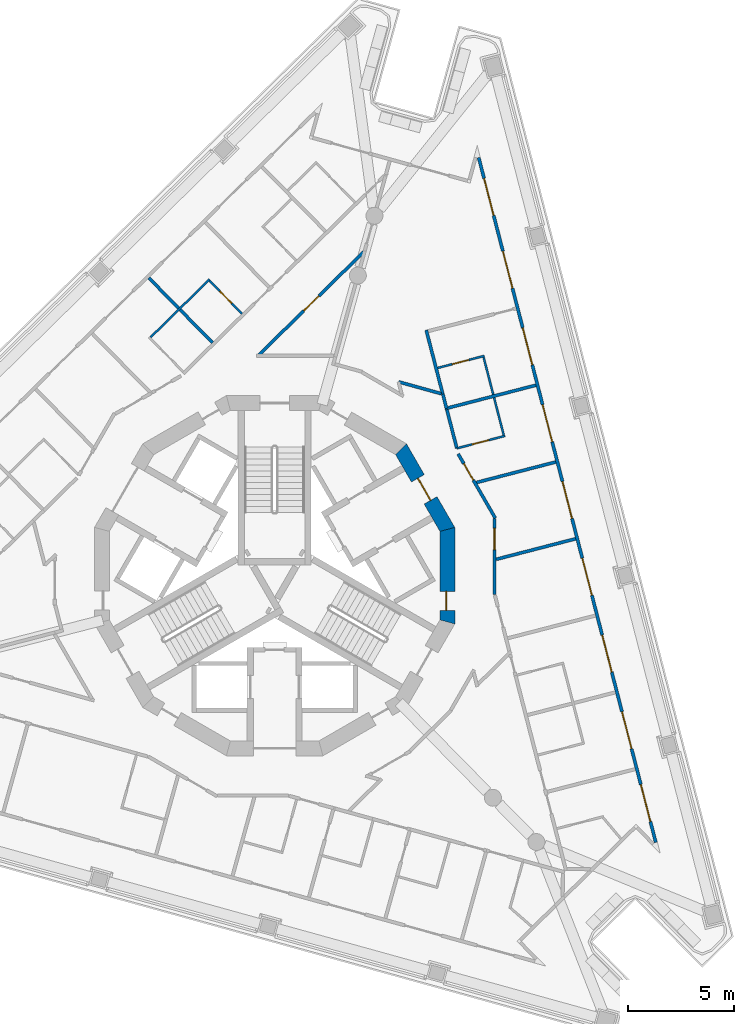
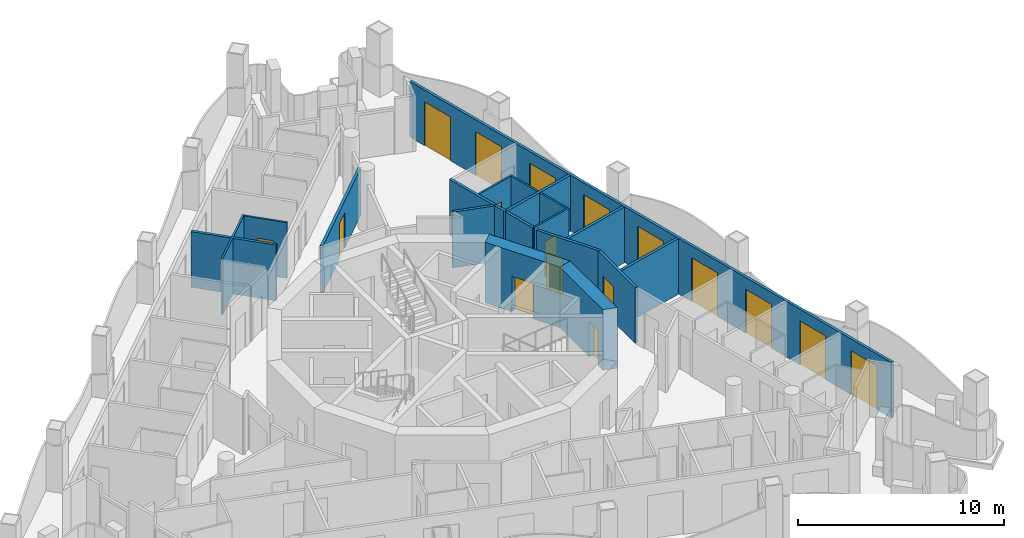
# One storey, part 7 of 14: 20 walls, 17 doors, 17 openings.
"""IFC4 building model written with IfcOpenShell, lengths in metres."""

from ifc_helpers import new_model, si_unit, direction, frame, frame_2d, origin, place, context, subcontext, project, spatial, polyline, rectangle, outline, extrude, material, layer, layer_set, type_object, element, fill, save


model = new_model("IFC4")

# Units and contexts
model_context = context("Model", 3, precision=1e-05, world=origin(), true_north=direction((0.0, 1.0)))
body_context = subcontext(model_context, "Body", "Model", "MODEL_VIEW")
ifc_project = project(units=[si_unit("LENGTHUNIT", "METRE"), si_unit("AREAUNIT", "SQUARE_METRE"), si_unit("VOLUMEUNIT", "CUBIC_METRE"), si_unit("PLANEANGLEUNIT", "RADIAN"), si_unit("MASSUNIT", "GRAM", prefix="KILO")], contexts=[model_context])

# Site, building, storey
site_placement = place(None, origin())
site = spatial("IfcSite", under=ifc_project, at=site_placement, CompositionType="ELEMENT")
building_placement = place(site_placement, origin())
building = spatial("IfcBuilding", under=site, at=building_placement, Name="Trine Commons Tower", CompositionType="ELEMENT")
storey_placement = place(building_placement, frame((0.0, 0.0, 238.5)))
storey = spatial("IfcBuildingStorey", under=building, at=storey_placement, Name="L62", CompositionType="ELEMENT", Elevation=238.5)

# Wall, openings, doors
ifc_material_1 = material(Name="Aluminium-framed insulated wall panel", Category="aluminium")
ifc_layer_1 = layer(ifc_material_1, 0.14990234375)
ifc_layer_set_1 = layer_set([ifc_layer_1], Name="Aluminium-framed insulated wall panel")
wall_type_1 = type_object("IfcWallType", Name="Glazed frame wall 150, EI 60", PredefinedType="SOLIDWALL", material=ifc_layer_set_1)
wall_1_placement = place(storey_placement, frame((89.59130859375, 82.377685546875, 0.0), z_axis=(0.0, 0.0, 1.0), x_axis=(0.250378839788, -0.968147941477, 0.0)))
wall_1 = element("IfcWall", 1, at=wall_1_placement, inside=storey, type_object=wall_type_1, Name="Glazed frame wall F2", PredefinedType="SOLIDWALL", context=body_context, shape_type="SweptSolid", body=[
    extrude(outline(polyline([(0.1494140625, 0.074951171875), (0.1494140625, -0.074951171875), (33.536865234375, -0.074951171875), (33.536865234375, 0.074951171875), (0.1494140625, 0.074951171875)])), origin(), (0.0, 0.0, 1.0), 3.300048828125),
])
opening_1_placement = place(wall_1_placement, frame((1.17138671875, 0.0, 0.0)))
opening_1 = element("IfcOpeningElement", 2, at=opening_1_placement, cuts=wall_1, Name="Opening BD-7F2-01", PredefinedType="OPENING", context=body_context, shape_type="SweptSolid", body=[
    extrude(rectangle(XDim=1.800048828125, YDim=2.60009765625, at=frame_2d((0.89990234375, 1.300048828125))), frame((0.0, 0.0849609375, 0.0), z_axis=(0.0, -1.0, 0.0), x_axis=(1.0, 0.0, 0.0)), (0.0, 0.0, 1.0), 0.169921875),
])
opening_2_placement = place(wall_1_placement, frame((4.71435546875, 0.0, 0.0)))
opening_2 = element("IfcOpeningElement", 3, at=opening_2_placement, cuts=wall_1, Name="Opening BD-7F2-02", PredefinedType="OPENING", context=body_context, shape_type="SweptSolid", body=[
    extrude(rectangle(XDim=1.800048828125, YDim=2.60009765625, at=frame_2d((0.89990234375, 1.300048828125))), frame((0.0, 0.0849609375, 0.0), z_axis=(0.0, -1.0, 0.0), x_axis=(1.0, 0.0, 0.0)), (0.0, 0.0, 1.0), 0.169921875),
])
opening_3_placement = place(wall_1_placement, frame((8.457275390625, 0.0, 0.0)))
opening_3 = element("IfcOpeningElement", 4, at=opening_3_placement, cuts=wall_1, Name="Opening BD-7F2-03", PredefinedType="OPENING", context=body_context, shape_type="SweptSolid", body=[
    extrude(rectangle(XDim=1.800048828125, YDim=2.60009765625, at=frame_2d((0.89990234375, 1.300048828125))), frame((0.0, 0.0849609375, 0.0), z_axis=(0.0, -1.0, 0.0), x_axis=(1.0, 0.0, 0.0)), (0.0, 0.0, 1.0), 0.169921875),
])
opening_4_placement = place(wall_1_placement, frame((12.2001953125, 0.0, 0.0)))
opening_4 = element("IfcOpeningElement", 5, at=opening_4_placement, cuts=wall_1, Name="Opening BD-7F2-04", PredefinedType="OPENING", context=body_context, shape_type="SweptSolid", body=[
    extrude(rectangle(XDim=1.800048828125, YDim=2.60009765625, at=frame_2d((0.89990234375, 1.300048828125))), frame((0.0, 0.0849609375, 0.0), z_axis=(0.0, -1.0, 0.0), x_axis=(1.0, 0.0, 0.0)), (0.0, 0.0, 1.0), 0.169921875),
])
opening_5_placement = place(wall_1_placement, frame((15.943115234375, 0.0, 0.0)))
opening_5 = element("IfcOpeningElement", 6, at=opening_5_placement, cuts=wall_1, Name="Opening BD-7F2-05", PredefinedType="OPENING", context=body_context, shape_type="SweptSolid", body=[
    extrude(rectangle(XDim=1.800048828125, YDim=2.60009765625, at=frame_2d((0.89990234375, 1.300048828125))), frame((0.0, 0.0849609375, 0.0), z_axis=(0.0, -1.0, 0.0), x_axis=(1.0, 0.0, 0.0)), (0.0, 0.0, 1.0), 0.169921875),
])
opening_6_placement = place(wall_1_placement, frame((19.68603515625, 0.0, 0.0)))
opening_6 = element("IfcOpeningElement", 7, at=opening_6_placement, cuts=wall_1, Name="Opening BD-7F2-06", PredefinedType="OPENING", context=body_context, shape_type="SweptSolid", body=[
    extrude(rectangle(XDim=1.800048828125, YDim=2.60009765625, at=frame_2d((0.89990234375, 1.300048828125))), frame((0.0, 0.0849609375, 0.0), z_axis=(0.0, -1.0, 0.0), x_axis=(1.0, 0.0, 0.0)), (0.0, 0.0, 1.0), 0.169921875),
])
opening_7_placement = place(wall_1_placement, frame((23.428955078125, 0.0, 0.0)))
opening_7 = element("IfcOpeningElement", 8, at=opening_7_placement, cuts=wall_1, Name="Opening BD-7F2-07", PredefinedType="OPENING", context=body_context, shape_type="SweptSolid", body=[
    extrude(rectangle(XDim=1.800048828125, YDim=2.60009765625, at=frame_2d((0.89990234375, 1.300048828125))), frame((0.0, 0.0849609375, 0.0), z_axis=(0.0, -1.0, 0.0), x_axis=(1.0, 0.0, 0.0)), (0.0, 0.0, 1.0), 0.169921875),
])
opening_8_placement = place(wall_1_placement, frame((27.171875, 0.0, 0.0)))
opening_8 = element("IfcOpeningElement", 9, at=opening_8_placement, cuts=wall_1, Name="Opening BD-7F2-08", PredefinedType="OPENING", context=body_context, shape_type="SweptSolid", body=[
    extrude(rectangle(XDim=1.800048828125, YDim=2.60009765625, at=frame_2d((0.89990234375, 1.300048828125))), frame((0.0, 0.0849609375, 0.0), z_axis=(0.0, -1.0, 0.0), x_axis=(1.0, 0.0, 0.0)), (0.0, 0.0, 1.0), 0.169921875),
])
opening_9_placement = place(wall_1_placement, frame((30.714599609375, 0.0, 0.0)))
opening_9 = element("IfcOpeningElement", 10, at=opening_9_placement, cuts=wall_1, Name="Opening BD-7F2-09", PredefinedType="OPENING", context=body_context, shape_type="SweptSolid", body=[
    extrude(rectangle(XDim=1.800048828125, YDim=2.60009765625, at=frame_2d((0.89990234375, 1.300048828125))), frame((0.0, 0.0849609375, 0.0), z_axis=(0.0, -1.0, 0.0), x_axis=(1.0, 0.0, 0.0)), (0.0, 0.0, 1.0), 0.169921875),
])
ifc_material_2 = material(Name="Anodised aluminium frame with double glazing", Category="aluminium")
door_type_1 = type_object("IfcDoorType", Name="Sliding loggia door 1800x2600", OperationType="SLIDING_TO_LEFT", PredefinedType="DOOR", material=ifc_material_2)
door_1_placement = place(opening_1_placement, origin())
door_1 = element("IfcDoor", 11, at=door_1_placement, inside=storey, type_object=door_type_1, Name="Loggia door F2 1", OperationType="SLIDING_TO_LEFT", OverallHeight=2.60009765625, OverallWidth=1.800048828125, PredefinedType="DOOR", context=body_context, shape_type="SweptSolid", body=[
    extrude(rectangle(XDim=1.800048828125, YDim=2.60009765625, at=frame_2d((0.89990234375, 1.300048828125))), frame((0.0, 0.02490234375, 0.0), z_axis=(0.0, -1.0, 0.0), x_axis=(1.0, 0.0, 0.0)), (0.0, 0.0, 1.0), 0.050048828125),
])
fill(opening_1, door_1)
door_2_placement = place(opening_2_placement, origin())
door_2 = element("IfcDoor", 12, at=door_2_placement, inside=storey, type_object=door_type_1, Name="Loggia door F2 2", OperationType="SLIDING_TO_LEFT", OverallHeight=2.60009765625, OverallWidth=1.800048828125, PredefinedType="DOOR", context=body_context, shape_type="SweptSolid", body=[
    extrude(rectangle(XDim=1.800048828125, YDim=2.60009765625, at=frame_2d((0.89990234375, 1.300048828125))), frame((0.0, 0.02490234375, 0.0), z_axis=(0.0, -1.0, 0.0), x_axis=(1.0, 0.0, 0.0)), (0.0, 0.0, 1.0), 0.050048828125),
])
fill(opening_2, door_2)
door_3_placement = place(opening_3_placement, origin())
door_3 = element("IfcDoor", 13, at=door_3_placement, inside=storey, type_object=door_type_1, Name="Loggia door F2 3", OperationType="SLIDING_TO_LEFT", OverallHeight=2.60009765625, OverallWidth=1.800048828125, PredefinedType="DOOR", context=body_context, shape_type="SweptSolid", body=[
    extrude(rectangle(XDim=1.800048828125, YDim=2.60009765625, at=frame_2d((0.89990234375, 1.300048828125))), frame((0.0, 0.02490234375, 0.0), z_axis=(0.0, -1.0, 0.0), x_axis=(1.0, 0.0, 0.0)), (0.0, 0.0, 1.0), 0.050048828125),
])
fill(opening_3, door_3)
door_4_placement = place(opening_4_placement, origin())
door_4 = element("IfcDoor", 14, at=door_4_placement, inside=storey, type_object=door_type_1, Name="Loggia door F2 4", OperationType="SLIDING_TO_LEFT", OverallHeight=2.60009765625, OverallWidth=1.800048828125, PredefinedType="DOOR", context=body_context, shape_type="SweptSolid", body=[
    extrude(rectangle(XDim=1.800048828125, YDim=2.60009765625, at=frame_2d((0.89990234375, 1.300048828125))), frame((0.0, 0.02490234375, 0.0), z_axis=(0.0, -1.0, 0.0), x_axis=(1.0, 0.0, 0.0)), (0.0, 0.0, 1.0), 0.050048828125),
])
fill(opening_4, door_4)
door_5_placement = place(opening_5_placement, origin())
door_5 = element("IfcDoor", 15, at=door_5_placement, inside=storey, type_object=door_type_1, Name="Loggia door F2 5", OperationType="SLIDING_TO_LEFT", OverallHeight=2.60009765625, OverallWidth=1.800048828125, PredefinedType="DOOR", context=body_context, shape_type="SweptSolid", body=[
    extrude(rectangle(XDim=1.800048828125, YDim=2.60009765625, at=frame_2d((0.89990234375, 1.300048828125))), frame((0.0, 0.02490234375, 0.0), z_axis=(0.0, -1.0, 0.0), x_axis=(1.0, 0.0, 0.0)), (0.0, 0.0, 1.0), 0.050048828125),
])
fill(opening_5, door_5)
door_6_placement = place(opening_6_placement, origin())
door_6 = element("IfcDoor", 16, at=door_6_placement, inside=storey, type_object=door_type_1, Name="Loggia door F2 6", OperationType="SLIDING_TO_LEFT", OverallHeight=2.60009765625, OverallWidth=1.800048828125, PredefinedType="DOOR", context=body_context, shape_type="SweptSolid", body=[
    extrude(rectangle(XDim=1.800048828125, YDim=2.60009765625, at=frame_2d((0.89990234375, 1.300048828125))), frame((0.0, 0.02490234375, 0.0), z_axis=(0.0, -1.0, 0.0), x_axis=(1.0, 0.0, 0.0)), (0.0, 0.0, 1.0), 0.050048828125),
])
fill(opening_6, door_6)
door_7_placement = place(opening_7_placement, origin())
door_7 = element("IfcDoor", 17, at=door_7_placement, inside=storey, type_object=door_type_1, Name="Loggia door F2 7", OperationType="SLIDING_TO_LEFT", OverallHeight=2.60009765625, OverallWidth=1.800048828125, PredefinedType="DOOR", context=body_context, shape_type="SweptSolid", body=[
    extrude(rectangle(XDim=1.800048828125, YDim=2.60009765625, at=frame_2d((0.89990234375, 1.300048828125))), frame((0.0, 0.02490234375, 0.0), z_axis=(0.0, -1.0, 0.0), x_axis=(1.0, 0.0, 0.0)), (0.0, 0.0, 1.0), 0.050048828125),
])
fill(opening_7, door_7)
door_8_placement = place(opening_8_placement, origin())
door_8 = element("IfcDoor", 18, at=door_8_placement, inside=storey, type_object=door_type_1, Name="Loggia door F2 8", OperationType="SLIDING_TO_LEFT", OverallHeight=2.60009765625, OverallWidth=1.800048828125, PredefinedType="DOOR", context=body_context, shape_type="SweptSolid", body=[
    extrude(rectangle(XDim=1.800048828125, YDim=2.60009765625, at=frame_2d((0.89990234375, 1.300048828125))), frame((0.0, 0.02490234375, 0.0), z_axis=(0.0, -1.0, 0.0), x_axis=(1.0, 0.0, 0.0)), (0.0, 0.0, 1.0), 0.050048828125),
])
fill(opening_8, door_8)
door_9_placement = place(opening_9_placement, origin())
door_9 = element("IfcDoor", 19, at=door_9_placement, inside=storey, type_object=door_type_1, Name="Loggia door F2 9", OperationType="SLIDING_TO_LEFT", OverallHeight=2.60009765625, OverallWidth=1.800048828125, PredefinedType="DOOR", context=body_context, shape_type="SweptSolid", body=[
    extrude(rectangle(XDim=1.800048828125, YDim=2.60009765625, at=frame_2d((0.89990234375, 1.300048828125))), frame((0.0, 0.02490234375, 0.0), z_axis=(0.0, -1.0, 0.0), x_axis=(1.0, 0.0, 0.0)), (0.0, 0.0, 1.0), 0.050048828125),
])
fill(opening_9, door_9)

# Wall, opening, door
ifc_material_3 = material(Name="Concrete C50/60", Category="concrete")
ifc_layer_2 = layer(ifc_material_3, 0.699951171875)
ifc_layer_set_2 = layer_set([ifc_layer_2], Name="Concrete C50/60")
wall_type_2 = type_object("IfcWallType", Name="RC shear wall 700 mm, C50/60", PredefinedType="SHEAR", material=ifc_layer_set_2)
wall_2_placement = place(storey_placement, frame((88.150146484375, 60.222412109375, 0.0), z_axis=(0.0, 0.0, 1.0), x_axis=(0.0, 1.0, 0.0)))
wall_2 = element("IfcWall", 20, at=wall_2_placement, inside=storey, type_object=wall_type_2, Name="Core wall CWG-01 L62", PredefinedType="SHEAR", context=body_context, shape_type="SweptSolid", body=[
    extrude(outline(polyline([(0.0, -0.35009765625), (4.55517578125, -0.35009765625), (4.36767578125, 0.35009765625), (0.1875, 0.35009765625), (0.0, -0.35009765625)])), origin(), (0.0, 0.0, 1.0), 3.60009765625),
])
opening_10_placement = place(wall_2_placement, frame((0.6416015625, 0.0, 0.0)))
opening_10 = element("IfcOpeningElement", 21, at=opening_10_placement, cuts=wall_2, Name="Opening K16.17", PredefinedType="OPENING", context=body_context, shape_type="SweptSolid", body=[
    extrude(rectangle(XDim=0.89990234375, YDim=2.10009765625, at=frame_2d((0.449951171875, 1.050048828125))), frame((0.0, 0.35986328125, 0.0), z_axis=(0.0, -1.0, 0.0), x_axis=(1.0, 0.0, 0.0)), (0.0, 0.0, 1.0), 0.719970703125),
])
ifc_material_4 = material(Name="Steel door leaf, fire-rated", Category="steel")
door_type_2 = type_object("IfcDoorType", Name="Core room door, single leaf 900 x 2100, FD30S", OperationType="SINGLE_SWING_LEFT", PredefinedType="DOOR", material=ifc_material_4)
door_10_placement = place(opening_10_placement, origin())
door_10 = element("IfcDoor", 22, at=door_10_placement, inside=storey, type_object=door_type_2, Name="Door to Accessible WC L62", OperationType="SINGLE_SWING_LEFT", OverallHeight=2.10009765625, OverallWidth=0.89990234375, PredefinedType="DOOR", context=body_context, shape_type="SweptSolid", body=[
    extrude(rectangle(XDim=0.89990234375, YDim=2.10009765625, at=frame_2d((0.449951171875, 1.050048828125))), frame((0.0, 0.0751953125, 0.0), z_axis=(0.0, -1.0, 0.0), x_axis=(1.0, 0.0, 0.0)), (0.0, 0.0, 1.0), 0.050048828125),
])
fill(opening_10, door_10)

wall_3_placement = place(storey_placement, frame((88.197021484375, 64.6025390625, 0.0), z_axis=(0.0, 0.0, 1.0), x_axis=(-0.499983800959, 0.866034756103, 0.0)))
wall_3 = element("IfcWall", 23, at=wall_3_placement, inside=storey, type_object=wall_type_2, Name="Core wall CWG-02 L62", PredefinedType="SHEAR", context=body_context, shape_type="SweptSolid", body=[
    extrude(outline(polyline([(0.0, -0.35009765625), (4.55517578125, -0.35009765625), (4.36767578125, 0.35009765625), (0.1875, 0.35009765625), (0.0, -0.35009765625)])), origin(), (0.0, 0.0, 1.0), 3.60009765625),
])
opening_11_placement = place(wall_3_placement, frame((1.677490234375, 0.0, 0.0)))
opening_11 = element("IfcOpeningElement", 24, at=opening_11_placement, cuts=wall_3, Name="Opening K16.04", PredefinedType="OPENING", context=body_context, shape_type="SweptSolid", body=[
    extrude(rectangle(XDim=1.199951171875, YDim=2.10009765625, at=frame_2d((0.60009765625, 1.050048828125))), frame((0.0, 0.35986328125, 0.0), z_axis=(0.0, -1.0, 0.0), x_axis=(1.0, 0.0, 0.0)), (0.0, 0.0, 1.0), 0.719970703125),
])
ifc_material_5 = material(Name="Steel door leaves, fire-rated", Category="steel")
door_type_3 = type_object("IfcDoorType", Name="Lobby door, double leaf 1200 x 2100, FD60", OperationType="DOUBLE_DOOR_SINGLE_SWING", PredefinedType="DOOR", material=ifc_material_5)
door_11_placement = place(opening_11_placement, origin())
door_11 = element("IfcDoor", 25, at=door_11_placement, inside=storey, type_object=door_type_3, Name="Lobby door, Core lounge L62", OperationType="DOUBLE_DOOR_SINGLE_SWING", OverallHeight=2.10009765625, OverallWidth=1.199951171875, PredefinedType="DOOR", context=body_context, shape_type="SweptSolid", body=[
    extrude(rectangle(XDim=1.199951171875, YDim=2.10009765625, at=frame_2d((0.60009765625, 1.050048828125))), frame((0.0, 0.02490234375, 0.0), z_axis=(0.0, -1.0, 0.0), x_axis=(1.0, 0.0, 0.0)), (0.0, 0.0, 1.0), 0.050048828125),
])
fill(opening_11, door_11)

# Wall
ifc_material_6 = material(Name="Gypsum plasterboard on steel stud", Category="steel")
ifc_layer_3 = layer(ifc_material_6, 0.14990234375)
ifc_layer_set_3 = layer_set([ifc_layer_3], Name="Gypsum plasterboard on steel stud")
wall_type_3 = type_object("IfcWallType", Name="Unit and corridor wall 150 mm, EI 60", PredefinedType="PARTITIONING", material=ifc_layer_set_3)
wall_4_placement = place(storey_placement, frame((74.06005859375, 76.554443359375, 0.0), z_axis=(0.0, 0.0, 1.0), x_axis=(0.70095501421, -0.713205487958, 0.0)))
element("IfcWall", 26, at=wall_4_placement, inside=storey, type_object=wall_type_3, Name="Partition 036", PredefinedType="PARTITIONING", context=body_context, shape_type="SweptSolid", body=[
    extrude(rectangle(XDim=4.28466796875, YDim=0.14990234375, at=frame_2d((2.142333984375, 0.0))), origin(), (0.0, 0.0, 1.0), 3.300048828125),
])

# Wall, opening, door
wall_5_placement = place(storey_placement, frame((79.265380859375, 72.927490234375, 0.0), z_axis=(0.0, 0.0, 1.0), x_axis=(0.713171352484, 0.700989744572, 0.0)))
wall_5 = element("IfcWall", 27, at=wall_5_placement, inside=storey, type_object=wall_type_3, Name="Partition 050", PredefinedType="PARTITIONING", context=body_context, shape_type="SweptSolid", body=[
    extrude(rectangle(XDim=6.914306640625, YDim=0.14990234375, at=frame_2d((3.45703125, 0.0))), origin(), (0.0, 0.0, 1.0), 2.800048828125),
])
opening_12_placement = place(wall_5_placement, frame((2.95703125, 0.0, 0.0)))
opening_12 = element("IfcOpeningElement", 28, at=opening_12_placement, cuts=wall_5, Name="Opening D-7A27", PredefinedType="OPENING", context=body_context, shape_type="SweptSolid", body=[
    extrude(rectangle(XDim=1.0, YDim=2.10009765625, at=frame_2d((0.5, 1.050048828125))), frame((0.0, 0.0849609375, 0.0), z_axis=(0.0, -1.0, 0.0), x_axis=(1.0, 0.0, 0.0)), (0.0, 0.0, 1.0), 0.169921875),
])
ifc_material_7 = material(Name="Painted timber", Category="wood")
door_type_4 = type_object("IfcDoorType", Name="Toilet door 1000 x 2100, NOT RATED", OperationType="NOTDEFINED", PredefinedType="DOOR", material=ifc_material_7)
door_12_placement = place(opening_12_placement, frame((1.0, 0.0, 0.0), z_axis=(0.0, 0.0, 1.0), x_axis=(-1.0, 0.0, 0.0)))
door_12 = element("IfcDoor", 29, at=door_12_placement, inside=storey, type_object=door_type_4, Name="Door D-7A27", OperationType="SINGLE_SWING_RIGHT", OverallHeight=2.10009765625, OverallWidth=1.0, PredefinedType="DOOR", context=body_context, shape_type="SweptSolid", body=[
    extrude(rectangle(XDim=1.0, YDim=2.10009765625, at=frame_2d((0.5, 1.050048828125))), frame((0.0, 0.02490234375, 0.0), z_axis=(0.0, -1.0, 0.0), x_axis=(1.0, 0.0, 0.0)), (0.0, 0.0, 1.0), 0.050048828125),
])
fill(opening_12, door_12)

# Walls
wall_6_placement = place(storey_placement, frame((85.85205078125, 71.64599609375, 0.0), z_axis=(0.0, 0.0, 1.0), x_axis=(0.963638385721, -0.267209770713, 0.0)))
element("IfcWall", 30, at=wall_6_placement, inside=storey, type_object=wall_type_3, Name="Partition 077", PredefinedType="PARTITIONING", context=body_context, shape_type="SweptSolid", body=[
    extrude(rectangle(XDim=2.088623046875, YDim=0.14990234375, at=frame_2d((1.04443359375, 0.0))), origin(), (0.0, 0.0, 1.0), 3.300048828125),
])
wall_7_placement = place(storey_placement, frame((87.1533203125, 74.092529296875, 0.0), z_axis=(0.0, 0.0, 1.0), x_axis=(0.250373987534, -0.968149196336, 0.0)))
element("IfcWall", 31, at=wall_7_placement, inside=storey, type_object=wall_type_3, Name="Partition 080", PredefinedType="PARTITIONING", context=body_context, shape_type="SweptSolid", body=[
    extrude(rectangle(XDim=3.126220703125, YDim=0.14990234375, at=frame_2d((1.56298828125, 0.0))), origin(), (0.0, 0.0, 1.0), 3.300048828125),
])
wall_8_placement = place(storey_placement, frame((87.93798828125, 71.06689453125, 0.0), z_axis=(0.0, 0.0, 1.0), x_axis=(0.250122032582, -0.968214319672, 0.0)))
element("IfcWall", 32, at=wall_8_placement, inside=storey, type_object=wall_type_3, Name="Partition 084", PredefinedType="PARTITIONING", context=body_context, shape_type="SweptSolid", body=[
    extrude(rectangle(XDim=0.696044921875, YDim=0.14990234375, at=frame_2d((0.34814453125, 0.0))), origin(), (0.0, 0.0, 1.0), 3.300048828125),
])
wall_9_placement = place(storey_placement, frame((88.036376953125, 70.377197265625, 0.0), z_axis=(0.0, 0.0, 1.0), x_axis=(0.968128504483, 0.25045398541, 0.0)))
element("IfcWall", 33, at=wall_9_placement, inside=storey, type_object=wall_type_3, Name="Partition 085", PredefinedType="PARTITIONING", context=body_context, shape_type="SweptSolid", body=[
    extrude(rectangle(XDim=4.435302734375, YDim=0.14990234375, at=frame_2d((2.2177734375, 0.0))), origin(), (0.0, 0.0, 1.0), 3.300048828125),
])
wall_10_placement = place(storey_placement, frame((88.12890625, 70.328369140625, 0.0), z_axis=(0.0, 0.0, 1.0), x_axis=(0.250183804331, -0.968198359868, 0.0)))
element("IfcWall", 34, at=wall_10_placement, inside=storey, type_object=wall_type_3, Name="Partition 086", PredefinedType="PARTITIONING", context=body_context, shape_type="SweptSolid", body=[
    extrude(rectangle(XDim=1.88330078125, YDim=0.14990234375, at=frame_2d((0.941650390625, 0.0))), origin(), (0.0, 0.0, 1.0), 3.300048828125),
])

# Wall, opening, door
wall_11_placement = place(storey_placement, frame((88.659912109375, 68.2490234375, 0.0), z_axis=(0.0, 0.0, 1.0), x_axis=(0.500223035479, -0.865896595891, 0.0)))
wall_11 = element("IfcWall", 35, at=wall_11_placement, inside=storey, type_object=wall_type_3, Name="Partition 089", PredefinedType="PARTITIONING", context=body_context, shape_type="SweptSolid", body=[
    extrude(rectangle(XDim=3.50390625, YDim=0.14990234375, at=frame_2d((1.751953125, 0.0))), origin(), (0.0, 0.0, 1.0), 3.300048828125),
])
opening_13_placement = place(wall_11_placement, frame((0.53369140625, 0.0, 0.0)))
opening_13 = element("IfcOpeningElement", 36, at=opening_13_placement, cuts=wall_11, Name="Opening D-7A13", PredefinedType="OPENING", context=body_context, shape_type="SweptSolid", body=[
    extrude(rectangle(XDim=0.89990234375, YDim=2.10009765625, at=frame_2d((0.449951171875, 1.050048828125))), frame((0.0, 0.0849609375, 0.0), z_axis=(0.0, -1.0, 0.0), x_axis=(1.0, 0.0, 0.0)), (0.0, 0.0, 1.0), 0.169921875),
])
ifc_material_8 = material(Name="Timber fire door set", Category="wood")
door_type_5 = type_object("IfcDoorType", Name="Bedroom door 900 x 2100, FD30S", OperationType="NOTDEFINED", PredefinedType="DOOR", material=ifc_material_8)
door_13_placement = place(opening_13_placement, origin())
door_13 = element("IfcDoor", 37, at=door_13_placement, inside=storey, type_object=door_type_5, Name="Door D-7A13", OperationType="SINGLE_SWING_LEFT", OverallHeight=2.10009765625, OverallWidth=0.89990234375, PredefinedType="DOOR", context=body_context, shape_type="SweptSolid", body=[
    extrude(rectangle(XDim=0.89990234375, YDim=2.10009765625, at=frame_2d((0.449951171875, 1.050048828125))), frame((0.0, 0.02490234375, 0.0), z_axis=(0.0, -1.0, 0.0), x_axis=(1.0, 0.0, 0.0)), (0.0, 0.0, 1.0), 0.050048828125),
])
fill(opening_13, door_13)

# Wall
wall_12_placement = place(storey_placement, frame((89.525634765625, 66.896728515625, 0.0), z_axis=(0.0, 0.0, 1.0), x_axis=(0.968171724996, 0.250286857264, 0.0)))
element("IfcWall", 38, at=wall_12_placement, inside=storey, type_object=wall_type_3, Name="Partition 092", PredefinedType="PARTITIONING", context=body_context, shape_type="SweptSolid", body=[
    extrude(rectangle(XDim=3.86474609375, YDim=0.14990234375, at=frame_2d((1.932373046875, 0.0))), origin(), (0.0, 0.0, 1.0), 3.300048828125),
])

# Wall, opening, door
wall_13_placement = place(storey_placement, frame((90.375, 61.616943359375, 0.0), z_axis=(0.0, 0.0, 1.0), x_axis=(0.0, 1.0, 0.0)))
wall_13 = element("IfcWall", 39, at=wall_13_placement, inside=storey, type_object=wall_type_3, Name="Partition 097", PredefinedType="PARTITIONING", context=body_context, shape_type="SweptSolid", body=[
    extrude(rectangle(XDim=3.588134765625, YDim=0.14990234375, at=frame_2d((1.7939453125, 0.0))), origin(), (0.0, 0.0, 1.0), 3.300048828125),
])
opening_14_placement = place(wall_13_placement, frame((2.110595703125, 0.0, 0.0)))
opening_14 = element("IfcOpeningElement", 40, at=opening_14_placement, cuts=wall_13, Name="Opening D-7A14", PredefinedType="OPENING", context=body_context, shape_type="SweptSolid", body=[
    extrude(rectangle(XDim=1.0, YDim=2.10009765625, at=frame_2d((0.5, 1.050048828125))), frame((0.0, 0.0849609375, 0.0), z_axis=(0.0, -1.0, 0.0), x_axis=(1.0, 0.0, 0.0)), (0.0, 0.0, 1.0), 0.169921875),
])
door_type_6 = type_object("IfcDoorType", Name="Amenity room door 1000 x 2100, NOT RATED", OperationType="NOTDEFINED", PredefinedType="DOOR", material=ifc_material_7)
door_14_placement = place(opening_14_placement, frame((1.0, 0.0, 0.0), z_axis=(0.0, 0.0, 1.0), x_axis=(-1.0, 0.0, 0.0)))
door_14 = element("IfcDoor", 41, at=door_14_placement, inside=storey, type_object=door_type_6, Name="Door D-7A14", OperationType="SINGLE_SWING_LEFT", OverallHeight=2.10009765625, OverallWidth=1.0, PredefinedType="DOOR", context=body_context, shape_type="SweptSolid", body=[
    extrude(rectangle(XDim=1.0, YDim=2.10009765625, at=frame_2d((0.5, 1.050048828125))), frame((0.0, 0.02490234375, 0.0), z_axis=(0.0, -1.0, 0.0), x_axis=(1.0, 0.0, 0.0)), (0.0, 0.0, 1.0), 0.050048828125),
])
fill(opening_14, door_14)

# Walls
wall_14_placement = place(storey_placement, frame((90.447509765625, 63.268798828125, 0.0), z_axis=(0.0, 0.0, 1.0), x_axis=(0.968111141553, 0.250521092128, 0.0)))
element("IfcWall", 42, at=wall_14_placement, inside=storey, type_object=wall_type_3, Name="Partition 098", PredefinedType="PARTITIONING", context=body_context, shape_type="SweptSolid", body=[
    extrude(rectangle(XDim=3.880615234375, YDim=0.14990234375, at=frame_2d((1.9404296875, 0.0))), origin(), (0.0, 0.0, 1.0), 3.300048828125),
])
ifc_layer_4 = layer(ifc_material_6, 0.10009765625)
ifc_layer_set_4 = layer_set([ifc_layer_4], Name="Gypsum plasterboard on steel stud")
wall_type_4 = type_object("IfcWallType", Name="Unit partition 100 mm, no rating", PredefinedType="PARTITIONING", material=ifc_layer_set_4)
wall_15_placement = place(storey_placement, frame((74.148681640625, 73.7529296875, 0.0), z_axis=(0.0, 0.0, 1.0), x_axis=(0.713214004819, 0.700946348396, 0.0)))
element("IfcWall", 43, at=wall_15_placement, inside=storey, type_object=wall_type_4, Name="Partition 039", PredefinedType="PARTITIONING", context=body_context, shape_type="SweptSolid", body=[
    extrude(rectangle(XDim=3.900634765625, YDim=0.10009765625, at=frame_2d((1.9501953125, 0.0))), origin(), (0.0, 0.0, 1.0), 3.300048828125),
])

# Wall, opening, door
wall_16_placement = place(storey_placement, frame((76.929931640625, 76.416259765625, 0.0), z_axis=(0.0, 0.0, 1.0), x_axis=(0.700793702446, -0.713363993073, 0.0)))
wall_16 = element("IfcWall", 44, at=wall_16_placement, inside=storey, type_object=wall_type_4, Name="Partition 045", PredefinedType="PARTITIONING", context=body_context, shape_type="SweptSolid", body=[
    extrude(rectangle(XDim=2.17529296875, YDim=0.10009765625, at=frame_2d((1.087646484375, 0.0))), origin(), (0.0, 0.0, 1.0), 3.300048828125),
])
opening_15_placement = place(wall_16_placement, frame((0.6875, 0.0, 0.0)))
opening_15 = element("IfcOpeningElement", 45, at=opening_15_placement, cuts=wall_16, Name="Opening D-7A32", PredefinedType="OPENING", context=body_context, shape_type="SweptSolid", body=[
    extrude(rectangle(XDim=0.800048828125, YDim=2.10009765625, at=frame_2d((0.39990234375, 1.050048828125))), frame((0.0, 0.06005859375, 0.0), z_axis=(0.0, -1.0, 0.0), x_axis=(1.0, 0.0, 0.0)), (0.0, 0.0, 1.0), 0.1201171875),
])
door_type_7 = type_object("IfcDoorType", Name="Internal door 800 x 2100, NOT RATED", OperationType="NOTDEFINED", PredefinedType="DOOR", material=ifc_material_7)
door_15_placement = place(opening_15_placement, origin())
door_15 = element("IfcDoor", 46, at=door_15_placement, inside=storey, type_object=door_type_7, Name="Door D-7A32", OperationType="SINGLE_SWING_LEFT", OverallHeight=2.10009765625, OverallWidth=0.800048828125, PredefinedType="DOOR", context=body_context, shape_type="SweptSolid", body=[
    extrude(rectangle(XDim=0.800048828125, YDim=2.10009765625, at=frame_2d((0.39990234375, 1.050048828125))), frame((0.0, 0.02490234375, 0.0), z_axis=(0.0, -1.0, 0.0), x_axis=(1.0, 0.0, 0.0)), (0.0, 0.0, 1.0), 0.050048828125),
])
fill(opening_15, door_15)

wall_17_placement = place(storey_placement, frame((87.693603515625, 72.302734375, 0.0), z_axis=(0.0, 0.0, 1.0), x_axis=(0.968107869502, 0.25053373627, 0.0)))
wall_17 = element("IfcWall", 47, at=wall_17_placement, inside=storey, type_object=wall_type_4, Name="Partition 082", PredefinedType="PARTITIONING", context=body_context, shape_type="SweptSolid", body=[
    extrude(rectangle(XDim=2.2744140625, YDim=0.10009765625, at=frame_2d((1.13720703125, 0.0))), origin(), (0.0, 0.0, 1.0), 3.300048828125),
])
opening_16_placement = place(wall_17_placement, frame((0.712158203125, 0.0, 0.0)))
opening_16 = element("IfcOpeningElement", 48, at=opening_16_placement, cuts=wall_17, Name="Opening D-7A35", PredefinedType="OPENING", context=body_context, shape_type="SweptSolid", body=[
    extrude(rectangle(XDim=0.800048828125, YDim=2.10009765625, at=frame_2d((0.39990234375, 1.050048828125))), frame((0.0, 0.06005859375, 0.0), z_axis=(0.0, -1.0, 0.0), x_axis=(1.0, 0.0, 0.0)), (0.0, 0.0, 1.0), 0.1201171875),
])
door_16_placement = place(opening_16_placement, origin())
door_16 = element("IfcDoor", 49, at=door_16_placement, inside=storey, type_object=door_type_7, Name="Door D-7A35", OperationType="SINGLE_SWING_LEFT", OverallHeight=2.10009765625, OverallWidth=0.800048828125, PredefinedType="DOOR", context=body_context, shape_type="SweptSolid", body=[
    extrude(rectangle(XDim=0.800048828125, YDim=2.10009765625, at=frame_2d((0.39990234375, 1.050048828125))), frame((0.0, 0.02490234375, 0.0), z_axis=(0.0, -1.0, 0.0), x_axis=(1.0, 0.0, 0.0)), (0.0, 0.0, 1.0), 0.050048828125),
])
fill(opening_16, door_16)

wall_18_placement = place(storey_placement, frame((88.596923828125, 68.508056640625, 0.0), z_axis=(0.0, 0.0, 1.0), x_axis=(0.968155594174, 0.250349246991, 0.0)))
wall_18 = element("IfcWall", 50, at=wall_18_placement, inside=storey, type_object=wall_type_4, Name="Partition 088", PredefinedType="PARTITIONING", context=body_context, shape_type="SweptSolid", body=[
    extrude(rectangle(XDim=2.350341796875, YDim=0.10009765625, at=frame_2d((1.17529296875, 0.0))), origin(), (0.0, 0.0, 1.0), 3.300048828125),
])
opening_17_placement = place(wall_18_placement, frame((0.75, 0.0, 0.0)))
opening_17 = element("IfcOpeningElement", 51, at=opening_17_placement, cuts=wall_18, Name="Opening D-7A36", PredefinedType="OPENING", context=body_context, shape_type="SweptSolid", body=[
    extrude(rectangle(XDim=0.800048828125, YDim=2.10009765625, at=frame_2d((0.39990234375, 1.050048828125))), frame((0.0, 0.06005859375, 0.0), z_axis=(0.0, -1.0, 0.0), x_axis=(1.0, 0.0, 0.0)), (0.0, 0.0, 1.0), 0.1201171875),
])
door_17_placement = place(opening_17_placement, frame((0.800048828125, 0.0, 0.0), z_axis=(0.0, 0.0, 1.0), x_axis=(-1.0, 0.0, 0.0)))
door_17 = element("IfcDoor", 52, at=door_17_placement, inside=storey, type_object=door_type_7, Name="Door D-7A36", OperationType="SINGLE_SWING_RIGHT", OverallHeight=2.10009765625, OverallWidth=0.800048828125, PredefinedType="DOOR", context=body_context, shape_type="SweptSolid", body=[
    extrude(rectangle(XDim=0.800048828125, YDim=2.10009765625, at=frame_2d((0.39990234375, 1.050048828125))), frame((0.0, 0.02490234375, 0.0), z_axis=(0.0, -1.0, 0.0), x_axis=(1.0, 0.0, 0.0)), (0.0, 0.0, 1.0), 0.050048828125),
])
fill(opening_17, door_17)

# Walls
for number, where, z_axis, x_axis, name in (
    (53, (89.859619140625, 72.8115234375, 0.0), (0.0, 0.0, 1.0), (0.250678968217, -0.968070273737, 0.0), "Partition 094"),
    (54, (90.354736328125, 70.8994140625, 0.0), (0.0, 0.0, 1.0), (0.250270413218, -0.968175975878, 0.0), "Partition 096"),
):
    element("IfcWall", number, at=place(storey_placement, frame(where, z_axis=z_axis, x_axis=x_axis)), inside=storey, type_object=wall_type_4, Name=name, PredefinedType="PARTITIONING", context=body_context, shape_type="SweptSolid", body=[
        extrude(rectangle(XDim=1.8251953125, YDim=0.10009765625, at=frame_2d((0.91259765625, 0.0))), origin(), (0.0, 0.0, 1.0), 3.300048828125),
    ])

save(model, "model.ifc")
